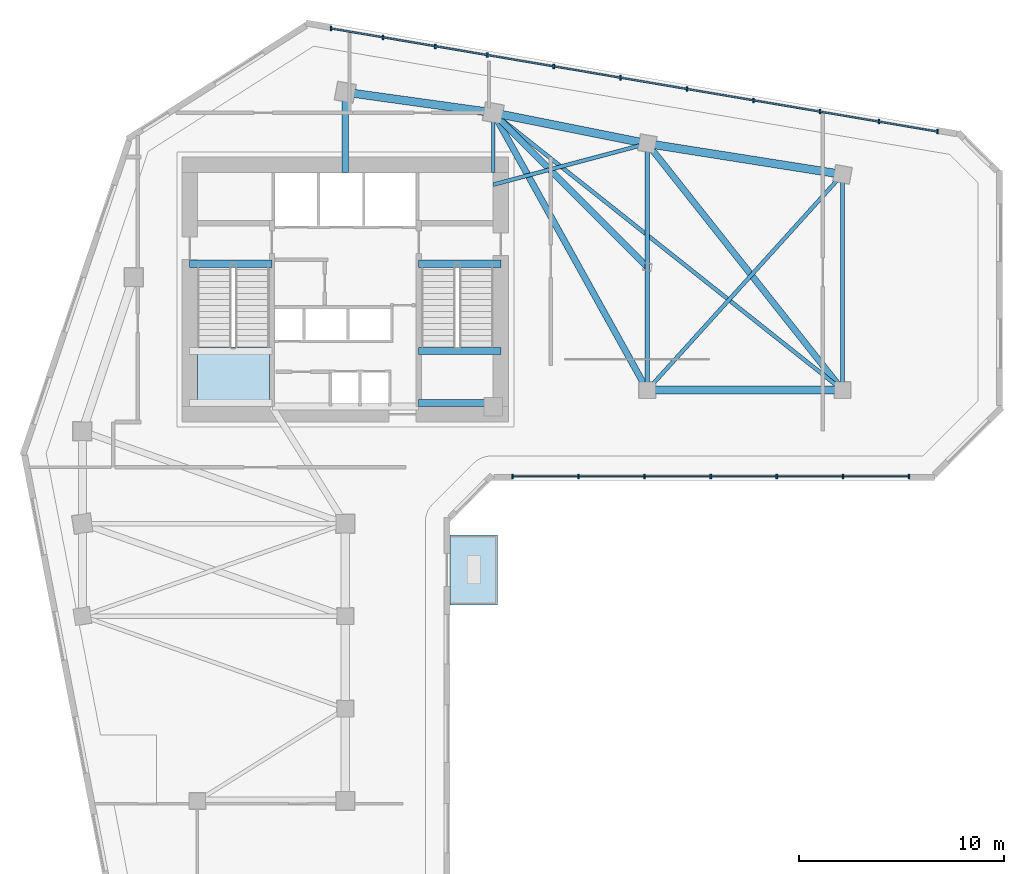
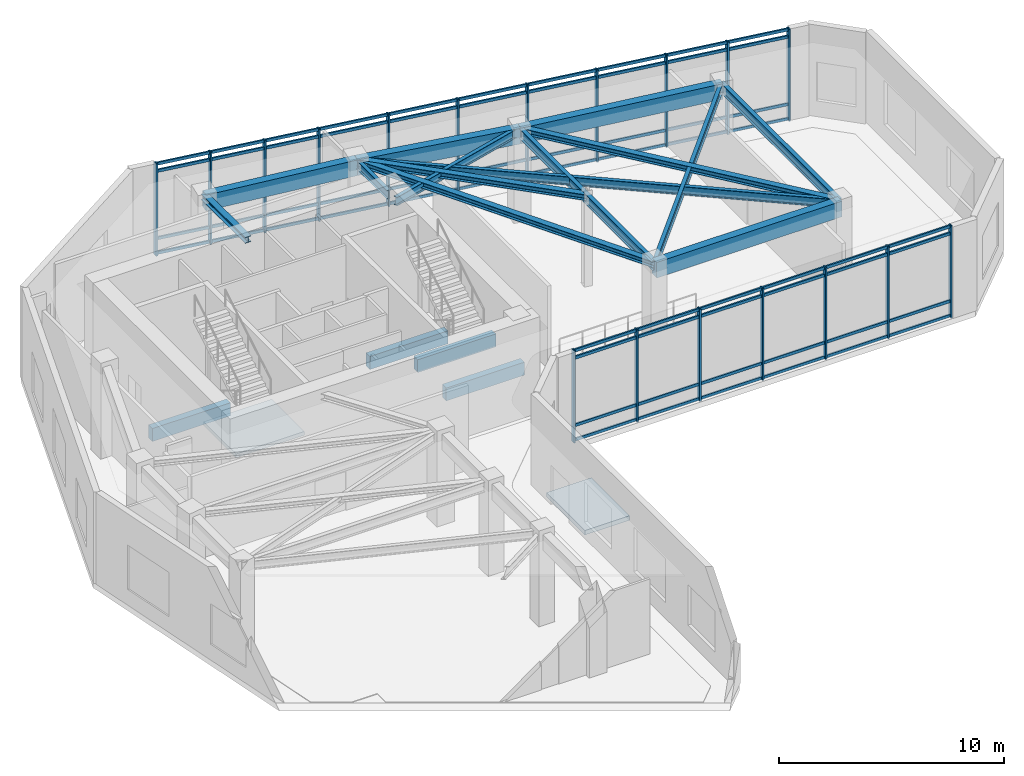
# One storey, part 2 of 9: 26 members, 18 beams, 2 slabs, 3 elements without a shape of their own.
"""IFC4 building model written with IfcOpenShell, lengths in metres."""

from ifc_helpers import new_model, si_unit, direction, frame, origin, origin_2d, place, context, subcontext, project, spatial, polyline, rectangle, i_section, outline, extrude, source, transform, mapped, material, layer, layer_set, material_profile, profile_set, type_object, element, aggregate, save


model = new_model("IFC4")

# Units and contexts
model_context = context("Model", 3, precision=1e-05, world=origin(), true_north=direction((0.0, 1.0)))
body_context = subcontext(model_context, "Body", "Model", "MODEL_VIEW")
ifc_project = project(units=[si_unit("LENGTHUNIT", "METRE"), si_unit("AREAUNIT", "SQUARE_METRE"), si_unit("VOLUMEUNIT", "CUBIC_METRE"), si_unit("PLANEANGLEUNIT", "RADIAN"), si_unit("MASSUNIT", "GRAM", prefix="KILO")], contexts=[model_context])

# Site, building, storey
site_placement = place(None, origin())
site = spatial("IfcSite", under=ifc_project, at=site_placement, CompositionType="ELEMENT")
building_placement = place(site_placement, origin())
building = spatial("IfcBuilding", under=site, at=building_placement, Name="Calvemar Wedge Station Tower", CompositionType="ELEMENT")
storey_placement = place(building_placement, frame((0.0, 0.0, 105.39990234375)))
storey = spatial("IfcBuildingStorey", under=building, at=storey_placement, Name="L25", CompositionType="ELEMENT", Elevation=105.39990234375)

# Beams
ifc_material_1 = material(Name="Concrete C60", Category="concrete")
ifc_material_profile_1 = material_profile(ifc_material_1, rectangle(XDim=0.39990234375, YDim=0.85009765625, at=origin_2d()), Name="RC400x850")
ifc_profile_set_1 = profile_set([ifc_material_profile_1], Name="Concrete C60")
beam_type_1 = type_object("IfcBeamType", Name="BM-SP1-850", PredefinedType="SPANDREL", material=ifc_profile_set_1)
shared_shape_1 = source(origin(), body_context, "Body", "SweptSolid", [
    extrude(rectangle(XDim=0.39990234375, YDim=0.85009765625, at=origin_2d()), origin(), (0.0, 0.0, 1.0), 7.26904296875),
])
beam_1_placement = place(storey_placement, frame((23.800048828125, 49.5, 4.525146484375), z_axis=(0.990492146053, -0.13756928657, 0.0), x_axis=(0.13756928657, 0.990492146053, 0.0)))
element("IfcBeam", 1, at=beam_1_placement, inside=storey, type_object=beam_type_1, Name="Storey L25 Spandrel T-N1-T-N2", PredefinedType="SPANDREL", context=body_context, shape_type="MappedRepresentation", body=[
    mapped(shared_shape_1, transform((0.0, 0.0, 0.0), scale=1.0)),
])
shared_shape_2 = source(origin(), body_context, "Body", "SweptSolid", [
    extrude(rectangle(XDim=0.39990234375, YDim=0.85009765625, at=origin_2d()), origin(), (0.0, 0.0, 1.0), 7.6484375),
])
beam_2_placement = place(storey_placement, frame((31.0, 48.5, 4.525146484375), z_axis=(0.980580675691, -0.196116135138, 0.0), x_axis=(0.196116135138, 0.980580675691, 0.0)))
element("IfcBeam", 2, at=beam_2_placement, inside=storey, type_object=beam_type_1, Name="Storey L25 Spandrel T-N2-T-NU3", PredefinedType="SPANDREL", context=body_context, shape_type="MappedRepresentation", body=[
    mapped(shared_shape_2, transform((0.0, 0.0, 0.0), scale=1.0)),
])
shared_shape_3 = source(origin(), body_context, "Body", "SweptSolid", [
    extrude(rectangle(XDim=0.39990234375, YDim=0.85009765625, at=origin_2d()), origin(), (0.0, 0.0, 1.0), 9.61767578125),
])
beam_3_placement = place(storey_placement, frame((38.5, 47.0, 4.525146484375), z_axis=(0.987762965329, -0.155962573473, 0.0), x_axis=(0.155962573473, 0.987762965329, 0.0)))
element("IfcBeam", 3, at=beam_3_placement, inside=storey, type_object=beam_type_1, Name="Storey L25 Spandrel T-NU3-T-NU4", PredefinedType="SPANDREL", context=body_context, shape_type="MappedRepresentation", body=[
    mapped(shared_shape_3, transform((0.0, 0.0, 0.0), scale=1.0)),
])
shared_shape_4 = source(origin(), body_context, "Body", "SweptSolid", [
    extrude(rectangle(XDim=0.39990234375, YDim=0.85009765625, at=origin_2d()), origin(), (0.0, 0.0, 1.0), 9.5),
])
beam_4_placement = place(storey_placement, frame((38.5, 35.0, 4.525146484375), z_axis=(1.0, 0.0, 0.0), x_axis=(0.0, 1.0, 0.0)))
element("IfcBeam", 4, at=beam_4_placement, inside=storey, type_object=beam_type_1, Name="Storey L25 Spandrel T-NL2-T-NL3", PredefinedType="SPANDREL", context=body_context, shape_type="MappedRepresentation", body=[
    mapped(shared_shape_4, transform((0.0, 0.0, 0.0), scale=1.0)),
])
ifc_material_2 = material(Name="Structural steel ASTM A572 Grade 50", Category="steel")
ifc_material_profile_2 = material_profile(ifc_material_2, i_section(OverallWidth=0.30908203125, OverallDepth=0.322998046875, WebThickness=0.013916015625, FlangeThickness=0.02294921875, FilletRadius=0.014892578125, at=origin_2d()), Name="W310x143")
ifc_profile_set_2 = profile_set([ifc_material_profile_2], Name="Structural steel ASTM A572 Grade 50")
beam_type_2 = type_object("IfcBeamType", Name="BM-J5-W310H", PredefinedType="JOIST", material=ifc_profile_set_2)
shared_shape_5 = source(origin(), body_context, "Body", "SweptSolid", [
    extrude(i_section(OverallWidth=0.30908203125, OverallDepth=0.322998046875, WebThickness=0.013916015625, FlangeThickness=0.02294921875, FilletRadius=0.014892578125, at=origin_2d()), origin(), (0.0, 0.0, 1.0), 15.443359375),
])
beam_5_placement = place(storey_placement, frame((31.0, 48.5, 4.78857421875), z_axis=(0.485642931179, -0.874157276122, 0.0), x_axis=(0.874157276122, 0.485642931179, 0.0)))
element("IfcBeam", 5, at=beam_5_placement, inside=storey, type_object=beam_type_2, Name="Storey L25 Floor Beam T-N2-T-NL2", PredefinedType="JOIST", context=body_context, shape_type="MappedRepresentation", body=[
    mapped(shared_shape_5, transform((0.0, 0.0, 0.0), scale=1.0)),
])
ifc_material_profile_3 = material_profile(ifc_material_2, i_section(OverallWidth=0.19189453125, OverallDepth=0.462890625, WebThickness=0.010498046875, FlangeThickness=0.017578125, FilletRadius=0.012939453125, at=origin_2d()), Name="W460x89")
ifc_profile_set_3 = profile_set([ifc_material_profile_3], Name="Structural steel ASTM A572 Grade 50")
beam_type_3 = type_object("IfcBeamType", Name="BM-J1-W460", PredefinedType="JOIST", material=ifc_profile_set_3)
shared_shape_6 = source(origin(), body_context, "Body", "SweptSolid", [
    extrude(i_section(OverallWidth=0.19189453125, OverallDepth=0.462890625, WebThickness=0.010498046875, FlangeThickness=0.017578125, FilletRadius=0.012939453125, at=origin_2d()), origin(), (0.0, 0.0, 1.0), 21.708251953125),
])
beam_6_placement = place(storey_placement, frame((31.0, 48.5, 4.718505859375), z_axis=(0.783110847498, -0.621882143602, 0.0), x_axis=(0.621882143602, 0.783110847498, 0.0)))
element("IfcBeam", 6, at=beam_6_placement, inside=storey, type_object=beam_type_3, Name="Storey L25 Floor Beam T-N2-T-NL3", PredefinedType="JOIST", context=body_context, shape_type="MappedRepresentation", body=[
    mapped(shared_shape_6, transform((0.0, 0.0, 0.0), scale=1.0)),
])
shared_shape_7 = source(origin(), body_context, "Body", "SweptSolid", [
    extrude(i_section(OverallWidth=0.30908203125, OverallDepth=0.322998046875, WebThickness=0.013916015625, FlangeThickness=0.02294921875, FilletRadius=0.014892578125, at=origin_2d()), origin(), (0.0, 0.0, 1.0), 15.30517578125),
])
beam_7_placement = place(storey_placement, frame((38.5, 47.0, 4.78857421875), z_axis=(0.620702944366, -0.784045824462, 0.0), x_axis=(0.784045824462, 0.620702944366, 0.0)))
element("IfcBeam", 7, at=beam_7_placement, inside=storey, type_object=beam_type_2, Name="Storey L25 Floor Beam T-NU3-T-NL3", PredefinedType="JOIST", context=body_context, shape_type="MappedRepresentation", body=[
    mapped(shared_shape_7, transform((0.0, 0.0, 0.0), scale=1.0)),
])
shared_shape_8 = source(origin(), body_context, "Body", "SweptSolid", [
    extrude(i_section(OverallWidth=0.19189453125, OverallDepth=0.462890625, WebThickness=0.010498046875, FlangeThickness=0.017578125, FilletRadius=0.012939453125, at=origin_2d()), origin(), (0.0, 0.0, 1.0), 14.159912109375),
])
beam_8_placement = place(storey_placement, frame((38.5, 35.0, 4.718505859375), z_axis=(0.670913323969, 0.741535779124, 0.0), x_axis=(-0.741535779124, 0.670913323969, 0.0)))
element("IfcBeam", 8, at=beam_8_placement, inside=storey, type_object=beam_type_3, Name="Storey L25 Floor Beam T-NL2-T-NU4", PredefinedType="JOIST", context=body_context, shape_type="MappedRepresentation", body=[
    mapped(shared_shape_8, transform((0.0, 0.0, 0.0), scale=1.0)),
])
shared_shape_9 = source(origin(), body_context, "Body", "SweptSolid", [
    extrude(i_section(OverallWidth=0.19189453125, OverallDepth=0.462890625, WebThickness=0.010498046875, FlangeThickness=0.017578125, FilletRadius=0.012939453125, at=origin_2d()), origin(), (0.0, 0.0, 1.0), 7.76220703125),
])
beam_9_placement = place(storey_placement, frame((31.0, 45.0, 4.718505859375), z_axis=(0.966234939601, 0.25766265056, 0.0), x_axis=(-0.25766265056, 0.966234939601, 0.0)))
element("IfcBeam", 9, at=beam_9_placement, inside=storey, type_object=beam_type_3, Name="Storey L25 Core-to-Column Joist CJ-E2", PredefinedType="JOIST", context=body_context, shape_type="MappedRepresentation", body=[
    mapped(shared_shape_9, transform((0.0, 0.0, 0.0), scale=1.0)),
])
shared_shape_10 = source(origin(), body_context, "Body", "SweptSolid", [
    extrude(i_section(OverallWidth=0.30908203125, OverallDepth=0.322998046875, WebThickness=0.013916015625, FlangeThickness=0.02294921875, FilletRadius=0.014892578125, at=origin_2d()), origin(), (0.0, 0.0, 1.0), 3.89990234375),
])
beam_10_placement = place(storey_placement, frame((23.800048828125, 45.60009765625, 4.78857421875), z_axis=(0.0, 1.0, 0.0), x_axis=(-1.0, 0.0, 0.0)))
element("IfcBeam", 10, at=beam_10_placement, inside=storey, type_object=beam_type_2, Name="Storey L25 Core-to-Column Joist CJ-N1", PredefinedType="JOIST", context=body_context, shape_type="MappedRepresentation", body=[
    mapped(shared_shape_10, transform((0.0, 0.0, 0.0), scale=1.0)),
])
shared_shape_11 = source(origin(), body_context, "Body", "SweptSolid", [
    extrude(i_section(OverallWidth=0.19189453125, OverallDepth=0.462890625, WebThickness=0.010498046875, FlangeThickness=0.017578125, FilletRadius=0.012939453125, at=origin_2d()), origin(), (0.0, 0.0, 1.0), 2.89990234375),
])
beam_11_placement = place(storey_placement, frame((31.0, 45.60009765625, 4.718505859375), z_axis=(0.0, 1.0, 0.0), x_axis=(-1.0, 0.0, 0.0)))
element("IfcBeam", 11, at=beam_11_placement, inside=storey, type_object=beam_type_3, Name="Storey L25 Core-to-Column Joist CJ-N2", PredefinedType="JOIST", context=body_context, shape_type="MappedRepresentation", body=[
    mapped(shared_shape_11, transform((0.0, 0.0, 0.0), scale=1.0)),
])
ifc_material_3 = material(Name="Concrete C70", Category="concrete")
ifc_material_profile_4 = material_profile(ifc_material_3, rectangle(XDim=0.35009765625, YDim=0.699951171875, at=origin_2d()), Name="RC350x700")
ifc_profile_set_4 = profile_set([ifc_material_profile_4], Name="Concrete C70")
beam_type_4 = type_object("IfcBeamType", Name="BM-LN1-700", PredefinedType="LINTEL", material=ifc_profile_set_4)
shared_shape_12 = source(origin(), body_context, "Body", "SweptSolid", [
    extrude(rectangle(XDim=0.35009765625, YDim=0.699951171875, at=origin_2d()), origin(), (0.0, 0.0, 1.0), 4.0048828125),
])
for number, where, z_axis, x_axis, name in (
    (12, (16.22509765625, 41.14990234375, -0.349853515625), (1.0, 0.0, 0.0), (0.0, 1.0, 0.0), "Storey L25 Stair ST-C1 Landing Trimmer Beam"),
    (13, (27.3701171875, 41.14990234375, -0.349853515625), (1.0, 0.0, 0.0), (0.0, 1.0, 0.0), "Storey L25 Stair ST-C2 Landing Trimmer Beam"),
    (14, (27.3701171875, 34.3798828125, 2.050048828125), (1.0, 0.0, 0.0), (0.0, 1.0, 0.0), "Storey L25 Stair ST-C2 Half-Landing Beam 1A"),
    (15, (27.3701171875, 36.909912109375, 2.050048828125), (1.0, 0.0, 0.0), (0.0, 1.0, 0.0), "Storey L25 Stair ST-C2 Half-Landing Beam 1B"),
):
    element("IfcBeam", number, at=place(storey_placement, frame(where, z_axis=z_axis, x_axis=x_axis)), inside=storey, type_object=beam_type_4, Name=name, PredefinedType="LINTEL", context=body_context, shape_type="MappedRepresentation", body=[
        mapped(shared_shape_12, transform((0.0, 0.0, 0.0), scale=1.0)),
    ])
ifc_material_profile_5 = material_profile(ifc_material_2, i_section(OverallWidth=0.2109375, OverallDepth=0.5390625, WebThickness=0.01171875, FlangeThickness=0.018798828125, FilletRadius=0.012939453125, at=origin_2d()), Name="W530x109")
ifc_profile_set_5 = profile_set([ifc_material_profile_5], Name="Structural steel ASTM A572 Grade 50")
beam_type_5 = type_object("IfcBeamType", Name="BM-SB4-W530", PredefinedType="BEAM", material=ifc_profile_set_5)
shared_shape_13 = source(origin(), body_context, "Body", "SweptSolid", [
    extrude(i_section(OverallWidth=0.2109375, OverallDepth=0.5390625, WebThickness=0.01171875, FlangeThickness=0.018798828125, FilletRadius=0.012939453125, at=origin_2d()), origin(), (0.0, 0.0, 1.0), 12.0),
])
beam_12_placement = place(storey_placement, frame((38.5, 47.0, 4.6806640625), z_axis=(0.0, -1.0, 0.0), x_axis=(1.0, 0.0, 0.0)))
element("IfcBeam", 16, at=beam_12_placement, inside=storey, type_object=beam_type_5, Name="Storey L25 Floor Beam T-NU3-T-NL2", PredefinedType="BEAM", context=body_context, shape_type="MappedRepresentation", body=[
    mapped(shared_shape_13, transform((0.0, 0.0, 0.0), scale=1.0)),
])
shared_shape_14 = source(origin(), body_context, "Body", "SweptSolid", [
    extrude(i_section(OverallWidth=0.2109375, OverallDepth=0.5390625, WebThickness=0.01171875, FlangeThickness=0.018798828125, FilletRadius=0.012939453125, at=origin_2d()), origin(), (0.0, 0.0, 1.0), 10.5),
])
beam_13_placement = place(storey_placement, frame((48.0, 45.5, 4.6806640625), z_axis=(0.0, -1.0, 0.0), x_axis=(1.0, 0.0, 0.0)))
element("IfcBeam", 17, at=beam_13_placement, inside=storey, type_object=beam_type_5, Name="Storey L25 Floor Beam T-NU4-T-NL3", PredefinedType="BEAM", context=body_context, shape_type="MappedRepresentation", body=[
    mapped(shared_shape_14, transform((0.0, 0.0, 0.0), scale=1.0)),
])
shared_shape_15 = source(origin(), body_context, "Body", "SweptSolid", [
    extrude(i_section(OverallWidth=0.30908203125, OverallDepth=0.322998046875, WebThickness=0.013916015625, FlangeThickness=0.02294921875, FilletRadius=0.014892578125, at=origin_2d()), origin(), (0.0, 0.0, 1.0), 10.606689453125),
])
beam_14_placement = place(storey_placement, frame((38.5, 41.0, 4.78857421875), z_axis=(-0.707106781187, 0.707106781187, 0.0), x_axis=(-0.707106781187, -0.707106781187, 0.0)))
element("IfcBeam", 18, at=beam_14_placement, inside=storey, type_object=beam_type_2, Name="Storey L25 Floor Beam T-NTIP-B-T-N2", PredefinedType="JOIST", context=body_context, shape_type="MappedRepresentation", body=[
    mapped(shared_shape_15, transform((0.0, 0.0, 0.0), scale=1.0)),
])

# Curtain wall, members
ifc_material_4 = material(Name="Anodised aluminium 6063-T6", Category="aluminium")
curtain_wall_type = type_object("IfcCurtainWallType", Name="CW6", PredefinedType="NOTDEFINED", material=ifc_material_4)
curtain_wall_1_placement = place(storey_placement, origin())
curtain_wall_1 = element("IfcCurtainWall", 19, at=curtain_wall_1_placement, inside=storey, type_object=curtain_wall_type, Name="Storey L25 CW6 Recessed Unitised Curtain Wall 6", PredefinedType="NOTDEFINED")
ifc_material_profile_6 = material_profile(ifc_material_4, rectangle(XDim=0.080078125, YDim=0.219970703125, at=origin_2d()), Name="AL-MUL-80x220")
ifc_profile_set_6 = profile_set([ifc_material_profile_6], Name="Anodised aluminium 6063-T6")
member_type_1 = type_object("IfcMemberType", Name="CW6-MUL", PredefinedType="MULLION", material=ifc_profile_set_6)
shared_shape_16 = source(origin(), body_context, "Body", "SweptSolid", [
    extrude(rectangle(XDim=0.080078125, YDim=0.219970703125, at=origin_2d()), origin(), (0.0, 0.0, 1.0), 5.0),
])
member_1_placement = place(storey_placement, frame((31.933837890625, 30.802001953125, -0.0498046875), z_axis=(0.0, 0.0, 1.0), x_axis=(1.0, 0.0, 0.0)))
member_1 = element("IfcMember", 20, at=member_1_placement, type_object=member_type_1, Name="CW6 mullion 1", PredefinedType="MULLION", context=body_context, shape_type="MappedRepresentation", body=[
    mapped(shared_shape_16, transform((0.0, 0.0, 0.0), scale=1.0)),
])
member_2_placement = place(storey_placement, frame((35.151123046875, 30.802001953125, -0.0498046875), z_axis=(0.0, 0.0, 1.0), x_axis=(1.0, 0.0, 0.0)))
member_2 = element("IfcMember", 21, at=member_2_placement, type_object=member_type_1, Name="CW6 mullion 2", PredefinedType="MULLION", context=body_context, shape_type="MappedRepresentation", body=[
    mapped(shared_shape_16, transform((0.0, 0.0, 0.0), scale=1.0)),
])
member_3_placement = place(storey_placement, frame((38.36865234375, 30.802001953125, -0.0498046875), z_axis=(0.0, 0.0, 1.0), x_axis=(1.0, 0.0, 0.0)))
member_3 = element("IfcMember", 22, at=member_3_placement, type_object=member_type_1, Name="CW6 mullion 3", PredefinedType="MULLION", context=body_context, shape_type="MappedRepresentation", body=[
    mapped(shared_shape_16, transform((0.0, 0.0, 0.0), scale=1.0)),
])
member_4_placement = place(storey_placement, frame((41.5859375, 30.802001953125, -0.0498046875), z_axis=(0.0, 0.0, 1.0), x_axis=(1.0, 0.0, 0.0)))
member_4 = element("IfcMember", 23, at=member_4_placement, type_object=member_type_1, Name="CW6 mullion 4", PredefinedType="MULLION", context=body_context, shape_type="MappedRepresentation", body=[
    mapped(shared_shape_16, transform((0.0, 0.0, 0.0), scale=1.0)),
])
member_5_placement = place(storey_placement, frame((44.80322265625, 30.802001953125, -0.0498046875), z_axis=(0.0, 0.0, 1.0), x_axis=(1.0, 0.0, 0.0)))
member_5 = element("IfcMember", 24, at=member_5_placement, type_object=member_type_1, Name="CW6 mullion 5", PredefinedType="MULLION", context=body_context, shape_type="MappedRepresentation", body=[
    mapped(shared_shape_16, transform((0.0, 0.0, 0.0), scale=1.0)),
])
member_6_placement = place(storey_placement, frame((48.0205078125, 30.802001953125, -0.0498046875), z_axis=(0.0, 0.0, 1.0), x_axis=(1.0, 0.0, 0.0)))
member_6 = element("IfcMember", 25, at=member_6_placement, type_object=member_type_1, Name="CW6 mullion 6", PredefinedType="MULLION", context=body_context, shape_type="MappedRepresentation", body=[
    mapped(shared_shape_16, transform((0.0, 0.0, 0.0), scale=1.0)),
])
member_7_placement = place(storey_placement, frame((51.23779296875, 30.802001953125, -0.0498046875), z_axis=(0.0, 0.0, 1.0), x_axis=(1.0, 0.0, 0.0)))
member_7 = element("IfcMember", 26, at=member_7_placement, type_object=member_type_1, Name="CW6 mullion 7", PredefinedType="MULLION", context=body_context, shape_type="MappedRepresentation", body=[
    mapped(shared_shape_16, transform((0.0, 0.0, 0.0), scale=1.0)),
])

curtain_wall_2_placement = place(storey_placement, origin())
curtain_wall_2 = element("IfcCurtainWall", 27, at=curtain_wall_2_placement, inside=storey, type_object=curtain_wall_type, Name="Storey L25 CW6 Recessed Unitised Curtain Wall 10", PredefinedType="NOTDEFINED")
member_8_placement = place(storey_placement, frame((52.63330078125, 47.577392578125, -0.0498046875), z_axis=(0.0, 0.0, 1.0), x_axis=(1.0, 0.0, 0.0)))
member_8 = element("IfcMember", 28, at=member_8_placement, type_object=member_type_1, Name="CW6 mullion 1", PredefinedType="MULLION", context=body_context, shape_type="MappedRepresentation", body=[
    mapped(shared_shape_16, transform((0.0, 0.0, 0.0), scale=1.0)),
])
member_9_placement = place(storey_placement, frame((49.769775390625, 48.064453125, -0.0498046875), z_axis=(0.0, 0.0, 1.0), x_axis=(1.0, 0.0, 0.0)))
member_9 = element("IfcMember", 29, at=member_9_placement, type_object=member_type_1, Name="CW6 mullion 2", PredefinedType="MULLION", context=body_context, shape_type="MappedRepresentation", body=[
    mapped(shared_shape_16, transform((0.0, 0.0, 0.0), scale=1.0)),
])
member_10_placement = place(storey_placement, frame((46.90625, 48.551513671875, -0.0498046875), z_axis=(0.0, 0.0, 1.0), x_axis=(1.0, 0.0, 0.0)))
member_10 = element("IfcMember", 30, at=member_10_placement, type_object=member_type_1, Name="CW6 mullion 3", PredefinedType="MULLION", context=body_context, shape_type="MappedRepresentation", body=[
    mapped(shared_shape_16, transform((0.0, 0.0, 0.0), scale=1.0)),
])
member_11_placement = place(storey_placement, frame((43.66650390625, 49.102294921875, -0.0498046875), z_axis=(0.0, 0.0, 1.0), x_axis=(1.0, 0.0, 0.0)))
member_11 = element("IfcMember", 31, at=member_11_placement, type_object=member_type_1, Name="CW6 mullion 4", PredefinedType="MULLION", context=body_context, shape_type="MappedRepresentation", body=[
    mapped(shared_shape_16, transform((0.0, 0.0, 0.0), scale=1.0)),
])
member_12_placement = place(storey_placement, frame((40.427001953125, 49.6533203125, -0.0498046875), z_axis=(0.0, 0.0, 1.0), x_axis=(1.0, 0.0, 0.0)))
member_12 = element("IfcMember", 32, at=member_12_placement, type_object=member_type_1, Name="CW6 mullion 5", PredefinedType="MULLION", context=body_context, shape_type="MappedRepresentation", body=[
    mapped(shared_shape_16, transform((0.0, 0.0, 0.0), scale=1.0)),
])
member_13_placement = place(storey_placement, frame((37.1875, 50.2041015625, -0.0498046875), z_axis=(0.0, 0.0, 1.0), x_axis=(1.0, 0.0, 0.0)))
member_13 = element("IfcMember", 33, at=member_13_placement, type_object=member_type_1, Name="CW6 mullion 6", PredefinedType="MULLION", context=body_context, shape_type="MappedRepresentation", body=[
    mapped(shared_shape_16, transform((0.0, 0.0, 0.0), scale=1.0)),
])
member_14_placement = place(storey_placement, frame((33.94775390625, 50.755126953125, -0.0498046875), z_axis=(0.0, 0.0, 1.0), x_axis=(1.0, 0.0, 0.0)))
member_14 = element("IfcMember", 34, at=member_14_placement, type_object=member_type_1, Name="CW6 mullion 7", PredefinedType="MULLION", context=body_context, shape_type="MappedRepresentation", body=[
    mapped(shared_shape_16, transform((0.0, 0.0, 0.0), scale=1.0)),
])
member_15_placement = place(storey_placement, frame((30.7080078125, 51.30615234375, -0.0498046875), z_axis=(0.0, 0.0, 1.0), x_axis=(1.0, 0.0, 0.0)))
member_15 = element("IfcMember", 35, at=member_15_placement, type_object=member_type_1, Name="CW6 mullion 8", PredefinedType="MULLION", context=body_context, shape_type="MappedRepresentation", body=[
    mapped(shared_shape_16, transform((0.0, 0.0, 0.0), scale=1.0)),
])
member_16_placement = place(storey_placement, frame((28.17431640625, 51.737060546875, -0.0498046875), z_axis=(0.0, 0.0, 1.0), x_axis=(1.0, 0.0, 0.0)))
member_16 = element("IfcMember", 36, at=member_16_placement, type_object=member_type_1, Name="CW6 mullion 9", PredefinedType="MULLION", context=body_context, shape_type="MappedRepresentation", body=[
    mapped(shared_shape_16, transform((0.0, 0.0, 0.0), scale=1.0)),
])
member_17_placement = place(storey_placement, frame((25.64013671875, 52.16796875, -0.0498046875), z_axis=(0.0, 0.0, 1.0), x_axis=(1.0, 0.0, 0.0)))
member_17 = element("IfcMember", 37, at=member_17_placement, type_object=member_type_1, Name="CW6 mullion 10", PredefinedType="MULLION", context=body_context, shape_type="MappedRepresentation", body=[
    mapped(shared_shape_16, transform((0.0, 0.0, 0.0), scale=1.0)),
])
member_18_placement = place(storey_placement, frame((23.106201171875, 52.598876953125, -0.0498046875), z_axis=(0.0, 0.0, 1.0), x_axis=(1.0, 0.0, 0.0)))
member_18 = element("IfcMember", 38, at=member_18_placement, type_object=member_type_1, Name="CW6 mullion 11", PredefinedType="MULLION", context=body_context, shape_type="MappedRepresentation", body=[
    mapped(shared_shape_16, transform((0.0, 0.0, 0.0), scale=1.0)),
])

# Member
ifc_material_profile_7 = material_profile(ifc_material_4, rectangle(XDim=0.080078125, YDim=0.155029296875, at=origin_2d()), Name="AL-TRN-80x155")
ifc_profile_set_7 = profile_set([ifc_material_profile_7], Name="Anodised aluminium 6063-T6")
member_type_2 = type_object("IfcMemberType", Name="CW6-TRN", PredefinedType="USERDEFINED", material=ifc_profile_set_7)
shared_shape_17 = source(origin(), body_context, "Body", "SweptSolid", [
    extrude(rectangle(XDim=0.080078125, YDim=0.155029296875, at=origin_2d()), origin(), (0.0, 0.0, 1.0), 19.303955078125),
])
member_19_placement = place(storey_placement, frame((31.933837890625, 30.802001953125, 0.06005859375), z_axis=(1.0, 0.0, 0.0), x_axis=(0.0, 1.0, 0.0)))
member_19 = element("IfcMember", 39, at=member_19_placement, type_object=member_type_2, Name="CW6 transom 1", ObjectType="TRANSOM", PredefinedType="USERDEFINED", context=body_context, shape_type="MappedRepresentation", body=[
    mapped(shared_shape_17, transform((0.0, 0.0, 0.0), scale=1.0)),
])

member_20_placement = place(storey_placement, frame((31.933837890625, 30.802001953125, 0.85009765625), z_axis=(1.0, 0.0, 0.0), x_axis=(0.0, 1.0, 0.0)))
member_20 = element("IfcMember", 40, at=member_20_placement, type_object=member_type_2, Name="CW6 transom 2", ObjectType="TRANSOM", PredefinedType="USERDEFINED", context=body_context, shape_type="MappedRepresentation", body=[
    mapped(shared_shape_17, transform((0.0, 0.0, 0.0), scale=1.0)),
])

member_21_placement = place(storey_placement, frame((31.933837890625, 30.802001953125, 4.5), z_axis=(1.0, 0.0, 0.0), x_axis=(0.0, 1.0, 0.0)))
member_21 = element("IfcMember", 41, at=member_21_placement, type_object=member_type_2, Name="CW6 transom 3", ObjectType="TRANSOM", PredefinedType="USERDEFINED", context=body_context, shape_type="MappedRepresentation", body=[
    mapped(shared_shape_17, transform((0.0, 0.0, 0.0), scale=1.0)),
])

member_22_placement = place(storey_placement, frame((31.933837890625, 30.802001953125, 4.89013671875), z_axis=(1.0, 0.0, 0.0), x_axis=(0.0, 1.0, 0.0)))
member_22 = element("IfcMember", 42, at=member_22_placement, type_object=member_type_2, Name="CW6 transom 4", ObjectType="TRANSOM", PredefinedType="USERDEFINED", context=body_context, shape_type="MappedRepresentation", body=[
    mapped(shared_shape_17, transform((0.0, 0.0, 0.0), scale=1.0)),
])

aggregate(curtain_wall_1, [member_1, member_2, member_3, member_4, member_5, member_6, member_7, member_19, member_20, member_21, member_22])

shared_shape_18 = source(origin(), body_context, "Body", "SweptSolid", [
    extrude(rectangle(XDim=0.080078125, YDim=0.155029296875, at=origin_2d()), origin(), (0.0, 0.0, 1.0), 29.950927734375),
])
member_23_placement = place(storey_placement, frame((52.63330078125, 47.577392578125, 0.06005859375), z_axis=(-0.985845487877, 0.167656416615, 0.0), x_axis=(-0.167656416615, -0.985845487877, 0.0)))
member_23 = element("IfcMember", 43, at=member_23_placement, type_object=member_type_2, Name="CW6 transom 1", ObjectType="TRANSOM", PredefinedType="USERDEFINED", context=body_context, shape_type="MappedRepresentation", body=[
    mapped(shared_shape_18, transform((0.0, 0.0, 0.0), scale=1.0)),
])

member_24_placement = place(storey_placement, frame((52.63330078125, 47.577392578125, 0.85009765625), z_axis=(-0.985845487877, 0.167656416615, 0.0), x_axis=(-0.167656416615, -0.985845487877, 0.0)))
member_24 = element("IfcMember", 44, at=member_24_placement, type_object=member_type_2, Name="CW6 transom 2", ObjectType="TRANSOM", PredefinedType="USERDEFINED", context=body_context, shape_type="MappedRepresentation", body=[
    mapped(shared_shape_18, transform((0.0, 0.0, 0.0), scale=1.0)),
])

member_25_placement = place(storey_placement, frame((52.63330078125, 47.577392578125, 4.5), z_axis=(-0.985845487877, 0.167656416615, 0.0), x_axis=(-0.167656416615, -0.985845487877, 0.0)))
member_25 = element("IfcMember", 45, at=member_25_placement, type_object=member_type_2, Name="CW6 transom 3", ObjectType="TRANSOM", PredefinedType="USERDEFINED", context=body_context, shape_type="MappedRepresentation", body=[
    mapped(shared_shape_18, transform((0.0, 0.0, 0.0), scale=1.0)),
])

member_26_placement = place(storey_placement, frame((52.63330078125, 47.577392578125, 4.89013671875), z_axis=(-0.985845487877, 0.167656416615, 0.0), x_axis=(-0.167656416615, -0.985845487877, 0.0)))
member_26 = element("IfcMember", 46, at=member_26_placement, type_object=member_type_2, Name="CW6 transom 4", ObjectType="TRANSOM", PredefinedType="USERDEFINED", context=body_context, shape_type="MappedRepresentation", body=[
    mapped(shared_shape_18, transform((0.0, 0.0, 0.0), scale=1.0)),
])

aggregate(curtain_wall_2, [member_8, member_9, member_10, member_11, member_12, member_13, member_14, member_15, member_16, member_17, member_18, member_23, member_24, member_25, member_26])

# Stair, slab
ifc_material_5 = material(Name="Concrete C45", Category="concrete")
stair_type = type_object("IfcStairType", Name="ST-TYPE-5200", PredefinedType="HALF_TURN_STAIR", material=ifc_material_5)
stair_placement = place(storey_placement, origin())
stair = element("IfcStair", 47, at=stair_placement, inside=storey, type_object=stair_type, Name="L25 Pressurized Core Exit Stair ST-C1", PredefinedType="HALF_TURN_STAIR")
ifc_layer_1 = layer(ifc_material_5, 0.199951171875)
ifc_layer_set_1 = layer_set([ifc_layer_1], Name="Concrete C45")
slab_type_1 = type_object("IfcSlabType", Name="SL-STAIR-LND-200", PredefinedType="LANDING", material=ifc_layer_set_1)
slab_1_placement = place(storey_placement, frame((0.0, 0.0, 2.400146484375)))
slab_1 = element("IfcSlab", 48, at=slab_1_placement, type_object=slab_type_1, Name="ST-C1 landing 1", PredefinedType="LANDING", context=body_context, shape_type="SweptSolid", body=[
    extrude(outline(polyline([(16.60009765625, 37.090087890625), (16.60009765625, 34.199951171875), (20.10009765625, 34.199951171875), (20.10009765625, 37.090087890625), (16.60009765625, 37.090087890625)])), origin(), (0.0, 0.0, 1.0), 0.199951171875),
])
aggregate(stair, [slab_1])

# Slab
ifc_layer_2 = layer(ifc_material_5, 0.239990234375)
ifc_layer_set_2 = layer_set([ifc_layer_2], Name="Concrete C45")
slab_type_2 = type_object("IfcSlabType", Name="SL-TERR-240", PredefinedType="FLOOR", material=ifc_layer_set_2)
slab_2_placement = place(storey_placement, frame((0.0, 0.0, -0.239990234375)))
element("IfcSlab", 49, at=slab_2_placement, inside=storey, type_object=slab_type_2, Name="Storey L25 Planted Spiral Terrace Slab", PredefinedType="FLOOR", context=body_context, shape_type="SweptSolid", body=[
    extrude(outline(polyline([(28.89599609375, 24.550048828125), (31.196044921875, 24.550048828125), (31.196044921875, 27.949951171875), (28.89599609375, 27.949951171875), (28.89599609375, 24.550048828125)])), origin(), (0.0, 0.0, 1.0), 0.239990234375),
])

save(model, "model.ifc")
